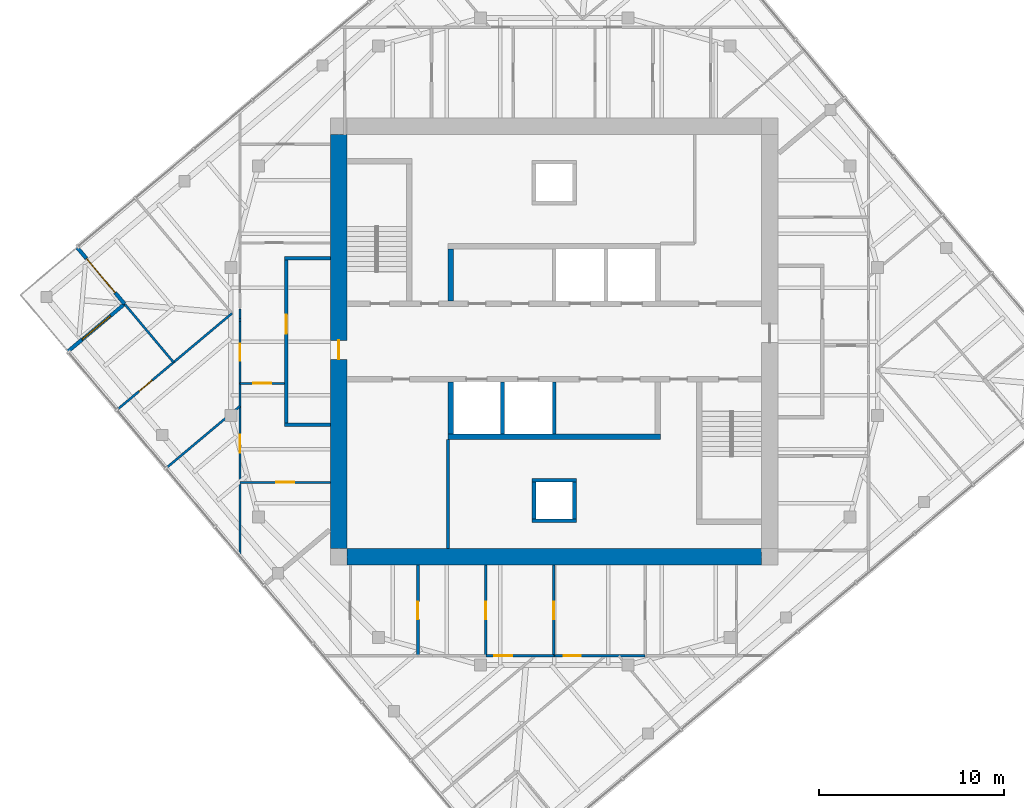
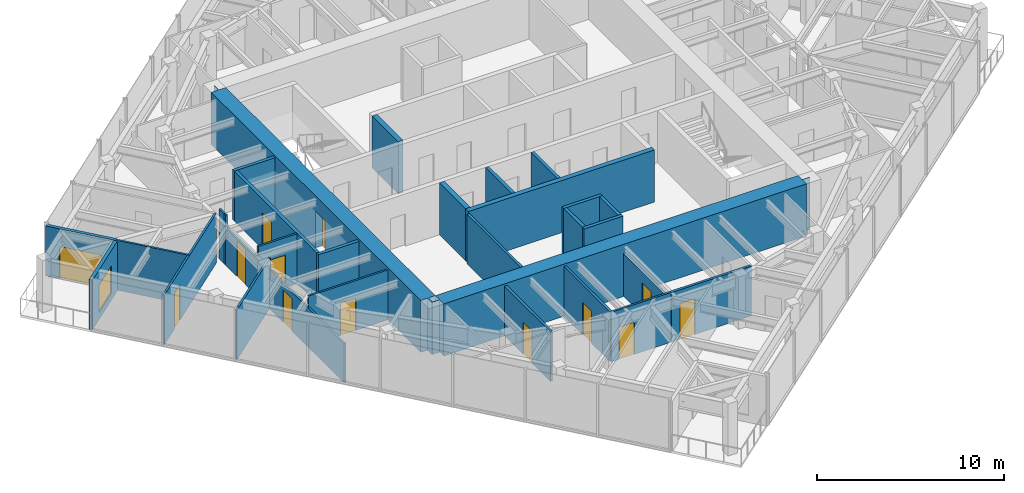
# One storey, part 7 of 11: 30 walls, 13 doors, 1 window, 14 openings.
"""IFC4 building model written with IfcOpenShell, lengths in metres."""

from ifc_helpers import new_model, si_unit, direction, frame, frame_2d, origin, place, context, subcontext, project, spatial, polyline, rectangle, outline, extrude, material, layer, layer_set, type_object, element, fill, save


model = new_model("IFC4")

# Units and contexts
model_context = context("Model", 3, precision=1e-05, world=origin(), true_north=direction((0.0, 1.0)))
body_context = subcontext(model_context, "Body", "Model", "MODEL_VIEW")
ifc_project = project(units=[si_unit("LENGTHUNIT", "METRE"), si_unit("AREAUNIT", "SQUARE_METRE"), si_unit("VOLUMEUNIT", "CUBIC_METRE"), si_unit("PLANEANGLEUNIT", "RADIAN"), si_unit("MASSUNIT", "GRAM", prefix="KILO")], contexts=[model_context])

# Site, building, storey
site_placement = place(None, origin())
site = spatial("IfcSite", under=ifc_project, at=site_placement, CompositionType="ELEMENT")
building_placement = place(site_placement, origin())
building = spatial("IfcBuilding", under=site, at=building_placement, Name="Torsade Residences", CompositionType="ELEMENT")
storey_placement = place(building_placement, frame((0.0, 0.0, 272.60009765625)))
storey = spatial("IfcBuildingStorey", under=building, at=storey_placement, Name="L75", CompositionType="ELEMENT", Elevation=272.60009765625)

# Walls
ifc_material_1 = material(Name="Concrete 80 MPa", Category="concrete")
ifc_layer_1 = layer(ifc_material_1, 0.300048828125)
ifc_layer_set_1 = layer_set([ifc_layer_1], Name="Concrete 80 MPa")
wall_type_1 = type_object("IfcWallType", Name="CORE INTERNAL WALL 300", PredefinedType="SHEAR", material=ifc_layer_set_1)
wall_1_placement = place(storey_placement, frame((45.75, 24.85009765625, 0.0), z_axis=(0.0, 0.0, 1.0), x_axis=(-1.0, 0.0, 0.0)))
element("IfcWall", 1, at=wall_1_placement, inside=storey, type_object=wall_type_1, Name="Core wall BS L75", PredefinedType="SHEAR", context=body_context, shape_type="SweptSolid", body=[
    extrude(rectangle(XDim=11.5, YDim=0.300048828125, at=frame_2d((5.75, 0.0))), origin(), (0.0, 0.0, 1.0), 3.39990234375),
])
for number, where, z_axis, x_axis, name in (
    (2, (34.39990234375, 32.199951171875, 0.0), (0.0, 0.0, 1.0), (0.0, 1.0, 0.0), "Core wall DN0 L75"),
    (3, (34.39990234375, 27.800048828125, 0.0), (0.0, 0.0, 1.0), (0.0, -1.0, 0.0), "Core wall DS4 L75"),
):
    element("IfcWall", number, at=place(storey_placement, frame(where, z_axis=z_axis, x_axis=x_axis)), inside=storey, type_object=wall_type_1, Name=name, PredefinedType="SHEAR", context=body_context, shape_type="SweptSolid", body=[
        extrude(rectangle(XDim=2.800048828125, YDim=0.300048828125, at=frame_2d((1.39990234375, 0.0))), origin(), (0.0, 0.0, 1.0), 3.39990234375),
    ])
ifc_material_2 = material(Name="Concrete 80 MPa", Category="concrete")
ifc_layer_2 = layer(ifc_material_2, 0.89990234375)
ifc_layer_set_2 = layer_set([ifc_layer_2], Name="Concrete 80 MPa")
wall_type_2 = type_object("IfcWallType", Name="CORE WALL 900", PredefinedType="SHEAR", material=ifc_layer_set_2)
wall_2_placement = place(storey_placement, frame((51.199951171875, 18.35009765625, 0.0), z_axis=(0.0, 0.0, 1.0), x_axis=(-1.0, 0.0, 0.0)))
element("IfcWall", 4, at=wall_2_placement, inside=storey, type_object=wall_type_2, Name="Core wall S L75", PredefinedType="SHEAR", context=body_context, shape_type="SweptSolid", body=[
    extrude(outline(polyline([(0.0, -0.449951171875), (22.39990234375, -0.449951171875), (22.39990234375, -0.02490234375), (22.849853515625, -0.02490234375), (22.849853515625, 0.02490234375), (22.39990234375, 0.02490234375), (22.39990234375, 0.449951171875), (0.0, 0.449951171875), (0.0, 0.02490234375), (-0.449951171875, 0.02490234375), (-0.449951171875, -0.02490234375), (0.0, -0.02490234375), (0.0, -0.449951171875)])), origin(), (0.0, 0.0, 1.0), 3.39990234375),
])

# Wall, opening, door
wall_3_placement = place(storey_placement, frame((28.35009765625, 41.199951171875, 0.0), z_axis=(0.0, 0.0, 1.0), x_axis=(0.0, -1.0, 0.0)))
wall_3 = element("IfcWall", 5, at=wall_3_placement, inside=storey, type_object=wall_type_2, Name="Core wall W L75", PredefinedType="SHEAR", context=body_context, shape_type="SweptSolid", body=[
    extrude(outline(polyline([(0.0, -0.449951171875), (22.39990234375, -0.449951171875), (22.39990234375, -0.02490234375), (22.849853515625, -0.02490234375), (22.849853515625, 0.02490234375), (22.39990234375, 0.02490234375), (22.39990234375, 0.449951171875), (0.0, 0.449951171875), (0.0, 0.02490234375), (-0.449951171875, 0.02490234375), (-0.449951171875, -0.02490234375), (0.0, -0.02490234375), (0.0, -0.449951171875)])), origin(), (0.0, 0.0, 1.0), 3.39990234375),
])
opening_1_placement = place(wall_3_placement, frame((11.139892578125, 0.0, 0.0)))
opening_1 = element("IfcOpeningElement", 6, at=opening_1_placement, cuts=wall_3, Name="Opening D04", PredefinedType="OPENING", context=body_context, shape_type="SweptSolid", body=[
    extrude(rectangle(XDim=1.02001953125, YDim=2.39990234375, at=frame_2d((0.510009765625, 1.199951171875))), frame((0.0, 0.4599609375, 0.0), z_axis=(0.0, -1.0, 0.0), x_axis=(1.0, 0.0, 0.0)), (0.0, 0.0, 1.0), 0.919921875),
])
ifc_material_3 = material(Name="Steel-framed fire door", Category="steel")
door_type_1 = type_object("IfcDoorType", Name="LOBBY SMOKE DOOR 1020x2400", OperationType="NOTDEFINED", PredefinedType="DOOR", material=ifc_material_3)
door_1_placement = place(opening_1_placement, origin())
door_1 = element("IfcDoor", 7, at=door_1_placement, inside=storey, type_object=door_type_1, Name="Lift lobby door W L75", OperationType="SINGLE_SWING_RIGHT", OverallHeight=2.39990234375, OverallWidth=1.02001953125, PredefinedType="DOOR", context=body_context, shape_type="SweptSolid", body=[
    extrude(rectangle(XDim=1.02001953125, YDim=2.39990234375, at=frame_2d((0.510009765625, 1.199951171875))), frame((0.0, 0.02490234375, 0.0), z_axis=(0.0, -1.0, 0.0), x_axis=(1.0, 0.0, 0.0)), (0.0, 0.0, 1.0), 0.050048828125),
])
fill(opening_1, door_1)

ifc_material_4 = material(Name="Plasterboard on steel stud", Category="steel")
ifc_layer_3 = layer(ifc_material_4, 0.199951171875)
ifc_layer_set_3 = layer_set([ifc_layer_3], Name="Plasterboard on steel stud")
wall_type_3 = type_object("IfcWallType", Name="CORRIDOR WALL 200", PredefinedType="PARTITIONING", material=ifc_layer_set_3)
wall_4_placement = place(storey_placement, frame((25.5, 25.5, 0.0), z_axis=(0.0, 0.0, 1.0), x_axis=(0.0, 1.0, 0.0)))
wall_4 = element("IfcWall", 8, at=wall_4_placement, inside=storey, type_object=wall_type_3, Name="Corridor wall L75", PredefinedType="PARTITIONING", context=body_context, shape_type="SweptSolid", body=[
    extrude(rectangle(XDim=9.0, YDim=0.199951171875, at=frame_2d((4.5, 0.0))), origin(), (0.0, 0.0, 1.0), 3.25),
])
opening_2_placement = place(wall_4_placement, frame((4.932861328125, 0.0, 0.0)))
opening_2 = element("IfcOpeningElement", 9, at=opening_2_placement, cuts=wall_4, Name="Opening D01", PredefinedType="OPENING", context=body_context, shape_type="SweptSolid", body=[
    extrude(rectangle(XDim=1.02001953125, YDim=2.340087890625, at=frame_2d((0.510009765625, 1.169921875))), frame((0.0, 0.10986328125, 0.0), z_axis=(0.0, -1.0, 0.0), x_axis=(1.0, 0.0, 0.0)), (0.0, 0.0, 1.0), 0.219970703125),
])
ifc_material_5 = material(Name="Solid-core timber fire door", Category="wood")
door_type_2 = type_object("IfcDoorType", Name="APARTMENT ENTRY DOOR 1020x2340", OperationType="NOTDEFINED", PredefinedType="DOOR", material=ifc_material_5)
door_2_placement = place(opening_2_placement, origin())
door_2 = element("IfcDoor", 10, at=door_2_placement, inside=storey, type_object=door_type_2, Name="Door Residential corridor to Kitchen and dining", OperationType="SINGLE_SWING_LEFT", OverallHeight=2.340087890625, OverallWidth=1.02001953125, PredefinedType="DOOR", context=body_context, shape_type="SweptSolid", body=[
    extrude(rectangle(XDim=1.02001953125, YDim=2.340087890625, at=frame_2d((0.510009765625, 1.169921875))), frame((0.0, 0.02490234375, 0.0), z_axis=(0.0, -1.0, 0.0), x_axis=(1.0, 0.0, 0.0)), (0.0, 0.0, 1.0), 0.050048828125),
])
fill(opening_2, door_2)

# Walls
for number, where, z_axis, x_axis, name in (
    (11, (27.89990234375, 34.5, 0.0), (0.0, 0.0, 1.0), (-1.0, 0.0, 0.0), "Corridor wall L75"),
    (12, (27.89990234375, 25.5, 0.0), (0.0, 0.0, 1.0), (-1.0, 0.0, 0.0), "Corridor wall L75"),
):
    element("IfcWall", number, at=place(storey_placement, frame(where, z_axis=z_axis, x_axis=x_axis)), inside=storey, type_object=wall_type_3, Name=name, PredefinedType="PARTITIONING", context=body_context, shape_type="SweptSolid", body=[
        extrude(rectangle(XDim=2.5, YDim=0.199951171875, at=frame_2d((1.25, 0.0))), origin(), (0.0, 0.0, 1.0), 3.25),
    ])
ifc_material_6 = material(Name="Reinforced blockwork", Category="masonry")
ifc_layer_4 = layer(ifc_material_6, 0.199951171875)
ifc_layer_set_4 = layer_set([ifc_layer_4], Name="Reinforced blockwork")
wall_type_4 = type_object("IfcWallType", Name="LIFT SHAFT DIVIDING WALL 200", PredefinedType="SOLIDWALL", material=ifc_layer_set_4)
for number, where, z_axis, x_axis, name in (
    (13, (40.0, 27.800048828125, 0.0), (0.0, 0.0, 1.0), (0.0, -1.0, 0.0), "Core wall DS2 L75"),
    (14, (37.199951171875, 27.800048828125, 0.0), (0.0, 0.0, 1.0), (0.0, -1.0, 0.0), "Core wall DS3 L75"),
):
    element("IfcWall", number, at=place(storey_placement, frame(where, z_axis=z_axis, x_axis=x_axis)), inside=storey, type_object=wall_type_4, Name=name, PredefinedType="SOLIDWALL", context=body_context, shape_type="SweptSolid", body=[
        extrude(rectangle(XDim=2.800048828125, YDim=0.199951171875, at=frame_2d((1.39990234375, 0.0))), origin(), (0.0, 0.0, 1.0), 3.39990234375),
    ])

# Wall, opening, door
ifc_material_7 = material(Name="Plasterboard on steel stud", Category="steel")
ifc_layer_5 = layer(ifc_material_7, 0.1201171875)
ifc_layer_set_5 = layer_set([ifc_layer_5], Name="Plasterboard on steel stud")
wall_type_5 = type_object("IfcWallType", Name="PARTITION 120", PredefinedType="PARTITIONING", material=ifc_layer_set_5)
wall_5_placement = place(storey_placement, frame((39.976318359375, 13.0, 0.0), z_axis=(0.0, 0.0, 1.0), x_axis=(-1.0, 0.0, 0.0)))
wall_5 = element("IfcWall", 15, at=wall_5_placement, inside=storey, type_object=wall_type_5, Name="Partition L75", PredefinedType="PARTITIONING", context=body_context, shape_type="SweptSolid", body=[
    extrude(rectangle(XDim=3.67578125, YDim=0.1201171875, at=frame_2d((1.837890625, 0.0))), origin(), (0.0, 0.0, 1.0), 3.25),
])
opening_3_placement = place(wall_5_placement, frame((2.2607421875, 0.0, 0.0)))
opening_3 = element("IfcOpeningElement", 16, at=opening_3_placement, cuts=wall_5, Name="Opening D05", PredefinedType="OPENING", context=body_context, shape_type="SweptSolid", body=[
    extrude(rectangle(XDim=0.9599609375, YDim=2.10009765625, at=frame_2d((0.47998046875, 1.050048828125))), frame((0.0, 0.070068359375, 0.0), z_axis=(0.0, -1.0, 0.0), x_axis=(1.0, 0.0, 0.0)), (0.0, 0.0, 1.0), 0.14013671875),
])
ifc_material_8 = material(Name="Hollow-core timber door in a steel cavity frame", Category="steel")
door_type_3 = type_object("IfcDoorType", Name="BATHROOM CAVITY SLIDING DOOR 960", OperationType="SLIDING_TO_LEFT", PredefinedType="DOOR", material=ifc_material_8)
door_3_placement = place(opening_3_placement, origin())
door_3 = element("IfcDoor", 17, at=door_3_placement, inside=storey, type_object=door_type_3, Name="Door WC to Bedroom 2", OperationType="SLIDING_TO_LEFT", OverallHeight=2.10009765625, OverallWidth=0.9599609375, PredefinedType="DOOR", context=body_context, shape_type="SweptSolid", body=[
    extrude(rectangle(XDim=0.9599609375, YDim=2.10009765625, at=frame_2d((0.47998046875, 1.050048828125))), frame((0.0, 0.02490234375, 0.0), z_axis=(0.0, -1.0, 0.0), x_axis=(1.0, 0.0, 0.0)), (0.0, 0.0, 1.0), 0.050048828125),
])
fill(opening_3, door_3)

wall_6_placement = place(storey_placement, frame((25.39990234375, 27.735595703125, 0.0), z_axis=(0.0, 0.0, 1.0), x_axis=(-1.0, 0.0, 0.0)))
wall_6 = element("IfcWall", 18, at=wall_6_placement, inside=storey, type_object=wall_type_5, Name="Partition L75", PredefinedType="PARTITIONING", context=body_context, shape_type="SweptSolid", body=[
    extrude(rectangle(XDim=2.39990234375, YDim=0.1201171875, at=frame_2d((1.199951171875, 0.0))), origin(), (0.0, 0.0, 1.0), 3.25),
])
opening_4_placement = place(wall_6_placement, frame((0.719970703125, 0.0, 0.0)))
opening_4 = element("IfcOpeningElement", 19, at=opening_4_placement, cuts=wall_6, Name="Opening D05", PredefinedType="OPENING", context=body_context, shape_type="SweptSolid", body=[
    extrude(rectangle(XDim=0.9599609375, YDim=2.10009765625, at=frame_2d((0.47998046875, 1.050048828125))), frame((0.0, 0.070068359375, 0.0), z_axis=(0.0, -1.0, 0.0), x_axis=(1.0, 0.0, 0.0)), (0.0, 0.0, 1.0), 0.14013671875),
])
door_4_placement = place(opening_4_placement, origin())
door_4 = element("IfcDoor", 20, at=door_4_placement, inside=storey, type_object=door_type_3, Name="Door Kitchen and dining to Bathroom", OperationType="SLIDING_TO_LEFT", OverallHeight=2.10009765625, OverallWidth=0.9599609375, PredefinedType="DOOR", context=body_context, shape_type="SweptSolid", body=[
    extrude(rectangle(XDim=0.9599609375, YDim=2.10009765625, at=frame_2d((0.47998046875, 1.050048828125))), frame((0.0, 0.02490234375, 0.0), z_axis=(0.0, -1.0, 0.0), x_axis=(1.0, 0.0, 0.0)), (0.0, 0.0, 1.0), 0.050048828125),
])
fill(opening_4, door_4)

# Wall
wall_7_placement = place(storey_placement, frame((23.0, 31.257568359375, 0.0), z_axis=(0.0, 0.0, 1.0), x_axis=(0.0, 1.0, 0.0)))
element("IfcWall", 21, at=wall_7_placement, inside=storey, type_object=wall_type_5, Name="Partition L75", PredefinedType="PARTITIONING", context=body_context, shape_type="SweptSolid", body=[
    extrude(rectangle(XDim=0.503662109375, YDim=0.1201171875, at=frame_2d((0.251953125, 0.0))), origin(), (0.0, 0.0, 1.0), 3.25),
])

# Wall, openings, doors
wall_8_placement = place(storey_placement, frame((23.0, 18.4296875, 0.0), z_axis=(0.0, 0.0, 1.0), x_axis=(0.0, 1.0, 0.0)))
wall_8 = element("IfcWall", 22, at=wall_8_placement, inside=storey, type_object=wall_type_5, Name="Partition L75", PredefinedType="PARTITIONING", context=body_context, shape_type="SweptSolid", body=[
    extrude(rectangle(XDim=12.65576171875, YDim=0.1201171875, at=frame_2d((6.327880859375, 0.0))), origin(), (0.0, 0.0, 1.0), 2.5498046875),
])
opening_5_placement = place(wall_8_placement, frame((10.520751953125, 0.0, 0.0)))
opening_5 = element("IfcOpeningElement", 23, at=opening_5_placement, cuts=wall_8, Name="Opening D02", PredefinedType="OPENING", context=body_context, shape_type="SweptSolid", body=[
    extrude(rectangle(XDim=0.919921875, YDim=2.340087890625, at=frame_2d((0.4599609375, 1.169921875))), frame((0.0, 0.070068359375, 0.0), z_axis=(0.0, -1.0, 0.0), x_axis=(1.0, 0.0, 0.0)), (0.0, 0.0, 1.0), 0.14013671875),
])
opening_6_placement = place(wall_8_placement, frame((5.5654296875, 0.0, 0.0)))
opening_6 = element("IfcOpeningElement", 24, at=opening_6_placement, cuts=wall_8, Name="Opening D05", PredefinedType="OPENING", context=body_context, shape_type="SweptSolid", body=[
    extrude(rectangle(XDim=0.9599609375, YDim=2.10009765625, at=frame_2d((0.47998046875, 1.050048828125))), frame((0.0, 0.070068359375, 0.0), z_axis=(0.0, -1.0, 0.0), x_axis=(1.0, 0.0, 0.0)), (0.0, 0.0, 1.0), 0.14013671875),
])
door_5_placement = place(opening_6_placement, origin())
door_5 = element("IfcDoor", 25, at=door_5_placement, inside=storey, type_object=door_type_3, Name="Door Bathroom to Media room", OperationType="SLIDING_TO_LEFT", OverallHeight=2.10009765625, OverallWidth=0.9599609375, PredefinedType="DOOR", context=body_context, shape_type="SweptSolid", body=[
    extrude(rectangle(XDim=0.9599609375, YDim=2.10009765625, at=frame_2d((0.47998046875, 1.050048828125))), frame((0.0, 0.02490234375, 0.0), z_axis=(0.0, -1.0, 0.0), x_axis=(1.0, 0.0, 0.0)), (0.0, 0.0, 1.0), 0.050048828125),
])
fill(opening_6, door_5)
ifc_material_9 = material(Name="Hollow-core timber door", Category="wood")
door_type_4 = type_object("IfcDoorType", Name="INTERNAL DOOR 920x2340", OperationType="NOTDEFINED", PredefinedType="DOOR", material=ifc_material_9)
door_6_placement = place(opening_5_placement, origin())
door_6 = element("IfcDoor", 26, at=door_6_placement, inside=storey, type_object=door_type_4, Name="Door Kitchen and dining to Bedroom 5", OperationType="SINGLE_SWING_LEFT", OverallHeight=2.340087890625, OverallWidth=0.919921875, PredefinedType="DOOR", context=body_context, shape_type="SweptSolid", body=[
    extrude(rectangle(XDim=0.919921875, YDim=2.340087890625, at=frame_2d((0.4599609375, 1.169921875))), frame((0.0, 0.02490234375, 0.0), z_axis=(0.0, -1.0, 0.0), x_axis=(1.0, 0.0, 0.0)), (0.0, 0.0, 1.0), 0.050048828125),
])
fill(opening_5, door_6)

# Wall, opening, door
wall_9_placement = place(storey_placement, frame((27.89990234375, 22.3798828125, 0.0), z_axis=(0.0, 0.0, 1.0), x_axis=(-1.0, 0.0, 0.0)))
wall_9 = element("IfcWall", 27, at=wall_9_placement, inside=storey, type_object=wall_type_5, Name="Partition L75", PredefinedType="PARTITIONING", context=body_context, shape_type="SweptSolid", body=[
    extrude(rectangle(XDim=4.89990234375, YDim=0.1201171875, at=frame_2d((2.449951171875, 0.0))), origin(), (0.0, 0.0, 1.0), 3.25),
])
opening_7_placement = place(wall_9_placement, frame((1.969970703125, 0.0, 0.0)))
opening_7 = element("IfcOpeningElement", 28, at=opening_7_placement, cuts=wall_9, Name="Opening D05", PredefinedType="OPENING", context=body_context, shape_type="SweptSolid", body=[
    extrude(rectangle(XDim=0.9599609375, YDim=2.10009765625, at=frame_2d((0.47998046875, 1.050048828125))), frame((0.0, 0.070068359375, 0.0), z_axis=(0.0, -1.0, 0.0), x_axis=(1.0, 0.0, 0.0)), (0.0, 0.0, 1.0), 0.14013671875),
])
door_7_placement = place(opening_7_placement, origin())
door_7 = element("IfcDoor", 29, at=door_7_placement, inside=storey, type_object=door_type_3, Name="Door Bathroom to Dressing room", OperationType="SLIDING_TO_LEFT", OverallHeight=2.10009765625, OverallWidth=0.9599609375, PredefinedType="DOOR", context=body_context, shape_type="SweptSolid", body=[
    extrude(rectangle(XDim=0.9599609375, YDim=2.10009765625, at=frame_2d((0.47998046875, 1.050048828125))), frame((0.0, 0.02490234375, 0.0), z_axis=(0.0, -1.0, 0.0), x_axis=(1.0, 0.0, 0.0)), (0.0, 0.0, 1.0), 0.050048828125),
])
fill(opening_7, door_7)

wall_10_placement = place(storey_placement, frame((22.565673828125, 31.525390625, 0.0), z_axis=(0.0, 0.0, 1.0), x_axis=(-0.766033729027, -0.642800378028, 0.0)))
wall_10 = element("IfcWall", 30, at=wall_10_placement, inside=storey, type_object=wall_type_5, Name="Partition L75", PredefinedType="PARTITIONING", context=body_context, shape_type="SweptSolid", body=[
    extrude(rectangle(XDim=8.0849609375, YDim=0.1201171875, at=frame_2d((4.04248046875, 0.0))), origin(), (0.0, 0.0, 1.0), 3.25),
])
opening_8_placement = place(wall_10_placement, frame((5.639892578125, 0.0, 0.0)))
opening_8 = element("IfcOpeningElement", 31, at=opening_8_placement, cuts=wall_10, Name="Opening D02", PredefinedType="OPENING", context=body_context, shape_type="SweptSolid", body=[
    extrude(rectangle(XDim=0.919921875, YDim=2.340087890625, at=frame_2d((0.4599609375, 1.169921875))), frame((0.0, 0.070068359375, 0.0), z_axis=(0.0, -1.0, 0.0), x_axis=(1.0, 0.0, 0.0)), (0.0, 0.0, 1.0), 0.14013671875),
])
door_8_placement = place(opening_8_placement, origin())
door_8 = element("IfcDoor", 32, at=door_8_placement, inside=storey, type_object=door_type_4, Name="Door Bedroom 5 to Study 2", OperationType="SINGLE_SWING_RIGHT", OverallHeight=2.340087890625, OverallWidth=0.919921875, PredefinedType="DOOR", context=body_context, shape_type="SweptSolid", body=[
    extrude(rectangle(XDim=0.919921875, YDim=2.340087890625, at=frame_2d((0.4599609375, 1.169921875))), frame((0.0, 0.02490234375, 0.0), z_axis=(0.0, -1.0, 0.0), x_axis=(1.0, 0.0, 0.0)), (0.0, 0.0, 1.0), 0.050048828125),
])
fill(opening_8, door_8)

# Walls
wall_11_placement = place(storey_placement, frame((19.40576171875, 28.873779296875, 0.0), z_axis=(0.0, 0.0, 1.0), x_axis=(-0.642767300664, 0.766061483953, 0.0)))
element("IfcWall", 33, at=wall_11_placement, inside=storey, type_object=wall_type_5, Name="Partition L75", PredefinedType="PARTITIONING", context=body_context, shape_type="SweptSolid", body=[
    extrude(rectangle(XDim=4.0849609375, YDim=0.1201171875, at=frame_2d((2.04248046875, 0.0))), origin(), (0.0, 0.0, 1.0), 3.25),
])
wall_12_placement = place(storey_placement, frame((23.0, 26.5048828125, 0.0), z_axis=(0.0, 0.0, 1.0), x_axis=(-0.76605407051, -0.642776136034, 0.0)))
element("IfcWall", 34, at=wall_12_placement, inside=storey, type_object=wall_type_5, Name="Partition L75", PredefinedType="PARTITIONING", context=body_context, shape_type="SweptSolid", body=[
    extrude(rectangle(XDim=5.190673828125, YDim=0.1201171875, at=frame_2d((2.59521484375, 0.0))), origin(), (0.0, 0.0, 1.0), 3.25),
])
wall_13_placement = place(storey_placement, frame((23.0, 31.257568359375, 0.0), z_axis=(0.0, 0.0, 1.0), x_axis=(0.0, -1.0, 0.0)))
element("IfcWall", 35, at=wall_13_placement, inside=storey, type_object=wall_type_5, Name="Partition L75", PredefinedType="PARTITIONING", context=body_context, shape_type="SweptSolid", body=[
    extrude(rectangle(XDim=0.172119140625, YDim=0.1201171875, at=frame_2d((0.0859375, 0.0))), origin(), (0.0, 0.0, 1.0), 3.25),
])
ifc_material_10 = material(Name="Reinforced blockwork", Category="masonry")
ifc_layer_6 = layer(ifc_material_10, 0.199951171875)
ifc_layer_set_6 = layer_set([ifc_layer_6], Name="Reinforced blockwork")
wall_type_6 = type_object("IfcWallType", Name="RISER SHAFT WALL 200", PredefinedType="SOLIDWALL", material=ifc_layer_set_6)
for number, where, z_axis, x_axis, name in (
    (36, (38.89990234375, 22.39990234375, 0.0), (0.0, 0.0, 1.0), (0.0, -1.0, 0.0), "Core wall RS2a L75"),
    (37, (41.10009765625, 22.39990234375, 0.0), (0.0, 0.0, 1.0), (0.0, -1.0, 0.0), "Core wall RS2b L75"),
):
    element("IfcWall", number, at=place(storey_placement, frame(where, z_axis=z_axis, x_axis=x_axis)), inside=storey, type_object=wall_type_6, Name=name, PredefinedType="SOLIDWALL", context=body_context, shape_type="SweptSolid", body=[
        extrude(rectangle(XDim=2.0, YDim=0.199951171875, at=frame_2d((1.0, 0.0))), origin(), (0.0, 0.0, 1.0), 3.39990234375),
    ])
for number, where, z_axis, x_axis, name in (
    (38, (38.800048828125, 22.5, 0.0), (0.0, 0.0, 1.0), (1.0, 0.0, 0.0), "Core wall RS2c L75"),
    (39, (38.800048828125, 20.300048828125, 0.0), (0.0, 0.0, 1.0), (1.0, 0.0, 0.0), "Core wall RS2d L75"),
):
    element("IfcWall", number, at=place(storey_placement, frame(where, z_axis=z_axis, x_axis=x_axis)), inside=storey, type_object=wall_type_6, Name=name, PredefinedType="SOLIDWALL", context=body_context, shape_type="SweptSolid", body=[
        extrude(rectangle(XDim=2.39990234375, YDim=0.199951171875, at=frame_2d((1.199951171875, 0.0))), origin(), (0.0, 0.0, 1.0), 3.39990234375),
    ])
ifc_material_11 = material(Name="Reinforced blockwork", Category="masonry")
ifc_layer_7 = layer(ifc_material_11, 0.14990234375)
ifc_layer_set_7 = layer_set([ifc_layer_7], Name="Reinforced blockwork")
wall_type_7 = type_object("IfcWallType", Name="SERVICE ROOM WALL 150", PredefinedType="SOLIDWALL", material=ifc_layer_set_7)
wall_14_placement = place(storey_placement, frame((34.25, 18.800048828125, 0.0), z_axis=(0.0, 0.0, 1.0), x_axis=(0.0, 1.0, 0.0)))
element("IfcWall", 40, at=wall_14_placement, inside=storey, type_object=wall_type_7, Name="Service room wall L75", PredefinedType="SOLIDWALL", context=body_context, shape_type="SweptSolid", body=[
    extrude(rectangle(XDim=5.89990234375, YDim=0.14990234375, at=frame_2d((2.949951171875, 0.0))), origin(), (0.0, 0.0, 1.0), 3.25),
])

# Wall, opening, door
wall_15_placement = place(storey_placement, frame((32.625, 17.89990234375, 0.0), z_axis=(0.0, 0.0, 1.0), x_axis=(0.0, -1.0, 0.0)))
wall_15 = element("IfcWall", 41, at=wall_15_placement, inside=storey, type_object=wall_type_7, Name="Service room wall L75", PredefinedType="SOLIDWALL", context=body_context, shape_type="SweptSolid", body=[
    extrude(rectangle(XDim=4.89990234375, YDim=0.14990234375, at=frame_2d((2.449951171875, 0.0))), origin(), (0.0, 0.0, 1.0), 3.25),
])
opening_9_placement = place(wall_15_placement, frame((1.969970703125, 0.0, 0.0)))
opening_9 = element("IfcOpeningElement", 42, at=opening_9_placement, cuts=wall_15, Name="Opening D05", PredefinedType="OPENING", context=body_context, shape_type="SweptSolid", body=[
    extrude(rectangle(XDim=0.9599609375, YDim=2.10009765625, at=frame_2d((0.47998046875, 1.050048828125))), frame((0.0, 0.0849609375, 0.0), z_axis=(0.0, -1.0, 0.0), x_axis=(1.0, 0.0, 0.0)), (0.0, 0.0, 1.0), 0.169921875),
])
door_9_placement = place(opening_9_placement, origin())
door_9 = element("IfcDoor", 43, at=door_9_placement, inside=storey, type_object=door_type_3, Name="Door Linen store to Ensuite", OperationType="SLIDING_TO_LEFT", OverallHeight=2.10009765625, OverallWidth=0.9599609375, PredefinedType="DOOR", context=body_context, shape_type="SweptSolid", body=[
    extrude(rectangle(XDim=0.9599609375, YDim=2.10009765625, at=frame_2d((0.47998046875, 1.050048828125))), frame((0.0, 0.02490234375, 0.0), z_axis=(0.0, -1.0, 0.0), x_axis=(1.0, 0.0, 0.0)), (0.0, 0.0, 1.0), 0.050048828125),
])
fill(opening_9, door_9)

wall_16_placement = place(storey_placement, frame((36.300537109375, 13.0, 0.0), z_axis=(0.0, 0.0, 1.0), x_axis=(0.0, 1.0, 0.0)))
wall_16 = element("IfcWall", 44, at=wall_16_placement, inside=storey, type_object=wall_type_7, Name="Service room wall L75", PredefinedType="SOLIDWALL", context=body_context, shape_type="SweptSolid", body=[
    extrude(rectangle(XDim=4.89990234375, YDim=0.14990234375, at=frame_2d((2.449951171875, 0.0))), origin(), (0.0, 0.0, 1.0), 3.25),
])
opening_10_placement = place(wall_16_placement, frame((1.969970703125, 0.0, 0.0)))
opening_10 = element("IfcOpeningElement", 45, at=opening_10_placement, cuts=wall_16, Name="Opening D05", PredefinedType="OPENING", context=body_context, shape_type="SweptSolid", body=[
    extrude(rectangle(XDim=0.9599609375, YDim=2.10009765625, at=frame_2d((0.47998046875, 1.050048828125))), frame((0.0, 0.0849609375, 0.0), z_axis=(0.0, -1.0, 0.0), x_axis=(1.0, 0.0, 0.0)), (0.0, 0.0, 1.0), 0.169921875),
])
door_10_placement = place(opening_10_placement, origin())
door_10 = element("IfcDoor", 46, at=door_10_placement, inside=storey, type_object=door_type_3, Name="Door WC to Linen store", OperationType="SLIDING_TO_LEFT", OverallHeight=2.10009765625, OverallWidth=0.9599609375, PredefinedType="DOOR", context=body_context, shape_type="SweptSolid", body=[
    extrude(rectangle(XDim=0.9599609375, YDim=2.10009765625, at=frame_2d((0.47998046875, 1.050048828125))), frame((0.0, 0.02490234375, 0.0), z_axis=(0.0, -1.0, 0.0), x_axis=(1.0, 0.0, 0.0)), (0.0, 0.0, 1.0), 0.050048828125),
])
fill(opening_10, door_10)

wall_17_placement = place(storey_placement, frame((39.976318359375, 17.89990234375, 0.0), z_axis=(0.0, 0.0, 1.0), x_axis=(0.0, -1.0, 0.0)))
wall_17 = element("IfcWall", 47, at=wall_17_placement, inside=storey, type_object=wall_type_7, Name="Service room wall L75", PredefinedType="SOLIDWALL", context=body_context, shape_type="SweptSolid", body=[
    extrude(rectangle(XDim=4.89990234375, YDim=0.14990234375, at=frame_2d((2.449951171875, 0.0))), origin(), (0.0, 0.0, 1.0), 2.7958984375),
])
opening_11_placement = place(wall_17_placement, frame((1.969970703125, 0.0, 0.0)))
opening_11 = element("IfcOpeningElement", 48, at=opening_11_placement, cuts=wall_17, Name="Opening D05", PredefinedType="OPENING", context=body_context, shape_type="SweptSolid", body=[
    extrude(rectangle(XDim=0.9599609375, YDim=2.10009765625, at=frame_2d((0.47998046875, 1.050048828125))), frame((0.0, 0.0849609375, 0.0), z_axis=(0.0, -1.0, 0.0), x_axis=(1.0, 0.0, 0.0)), (0.0, 0.0, 1.0), 0.169921875),
])
door_11_placement = place(opening_11_placement, origin())
door_11 = element("IfcDoor", 49, at=door_11_placement, inside=storey, type_object=door_type_3, Name="Door Linen store 2 to WC", OperationType="SLIDING_TO_LEFT", OverallHeight=2.10009765625, OverallWidth=0.9599609375, PredefinedType="DOOR", context=body_context, shape_type="SweptSolid", body=[
    extrude(rectangle(XDim=0.9599609375, YDim=2.10009765625, at=frame_2d((0.47998046875, 1.050048828125))), frame((0.0, 0.02490234375, 0.0), z_axis=(0.0, -1.0, 0.0), x_axis=(1.0, 0.0, 0.0)), (0.0, 0.0, 1.0), 0.050048828125),
])
fill(opening_11, door_11)

wall_18_placement = place(storey_placement, frame((44.91796875, 13.0, 0.0), z_axis=(0.0, 0.0, 1.0), x_axis=(-1.0, 0.0, 0.0)))
wall_18 = element("IfcWall", 50, at=wall_18_placement, inside=storey, type_object=wall_type_7, Name="Service room wall L75", PredefinedType="SOLIDWALL", context=body_context, shape_type="SweptSolid", body=[
    extrude(rectangle(XDim=4.941650390625, YDim=0.14990234375, at=frame_2d((2.470703125, 0.0))), origin(), (0.0, 0.0, 1.0), 3.25),
])
opening_12_placement = place(wall_18_placement, frame((3.493896484375, 0.0, 0.0)))
opening_12 = element("IfcOpeningElement", 51, at=opening_12_placement, cuts=wall_18, Name="Opening D02", PredefinedType="OPENING", context=body_context, shape_type="SweptSolid", body=[
    extrude(rectangle(XDim=0.919921875, YDim=2.340087890625, at=frame_2d((0.4599609375, 1.169921875))), frame((0.0, 0.0849609375, 0.0), z_axis=(0.0, -1.0, 0.0), x_axis=(1.0, 0.0, 0.0)), (0.0, 0.0, 1.0), 0.169921875),
])
door_12_placement = place(opening_12_placement, origin())
door_12 = element("IfcDoor", 52, at=door_12_placement, inside=storey, type_object=door_type_4, Name="Door Linen store 2 to Bedroom 5", OperationType="SINGLE_SWING_LEFT", OverallHeight=2.340087890625, OverallWidth=0.919921875, PredefinedType="DOOR", context=body_context, shape_type="SweptSolid", body=[
    extrude(rectangle(XDim=0.919921875, YDim=2.340087890625, at=frame_2d((0.4599609375, 1.169921875))), frame((0.0, 0.02490234375, 0.0), z_axis=(0.0, -1.0, 0.0), x_axis=(1.0, 0.0, 0.0)), (0.0, 0.0, 1.0), 0.050048828125),
])
fill(opening_12, door_12)

ifc_material_12 = material(Name="Stone-faced precast concrete 40 MPa panel", Category="masonry")
ifc_layer_8 = layer(ifc_material_12, 0.199951171875)
ifc_layer_set_8 = layer_set([ifc_layer_8], Name="Stone-faced precast concrete 40 MPa panel")
wall_type_8 = type_object("IfcWallType", Name="TERRACE WALL 200", PredefinedType="SOLIDWALL", material=ifc_layer_set_8)
wall_19_placement = place(storey_placement, frame((14.18310546875, 35.097900390625, 0.0), z_axis=(0.0, 0.0, 1.0), x_axis=(0.642768287094, -0.766060656284, 0.0)))
wall_19 = element("IfcWall", 53, at=wall_19_placement, inside=storey, type_object=wall_type_8, Name="Terrace wall L75 8", PredefinedType="SOLIDWALL", context=body_context, shape_type="SweptSolid", body=[
    extrude(rectangle(XDim=4.0, YDim=0.199951171875, at=frame_2d((2.0, 0.0))), origin(), (0.0, 0.0, 1.0), 3.25),
])
opening_13_placement = place(wall_19_placement, frame((0.800048828125, 0.0, 0.0)))
opening_13 = element("IfcOpeningElement", 54, at=opening_13_placement, cuts=wall_19, Name="Opening D10A", PredefinedType="OPENING", context=body_context, shape_type="SweptSolid", body=[
    extrude(rectangle(XDim=2.39990234375, YDim=2.10009765625, at=frame_2d((1.199951171875, 1.050048828125))), frame((0.0, 0.10986328125, 0.0), z_axis=(0.0, -1.0, 0.0), x_axis=(1.0, 0.0, 0.0)), (0.0, 0.0, 1.0), 0.219970703125),
])
ifc_material_13 = material(Name="Aluminium-framed glass door", Category="aluminium")
door_type_5 = type_object("IfcDoorType", Name="TERRACE SLIDING DOOR 2400x2100", OperationType="SLIDING_TO_LEFT", PredefinedType="DOOR", material=ifc_material_13)
door_13_placement = place(opening_13_placement, origin())
door_13 = element("IfcDoor", 55, at=door_13_placement, inside=storey, type_object=door_type_5, Name="Terrace door L75 8", OperationType="SLIDING_TO_LEFT", OverallHeight=2.10009765625, OverallWidth=2.39990234375, PredefinedType="DOOR", context=body_context, shape_type="SweptSolid", body=[
    extrude(rectangle(XDim=2.39990234375, YDim=2.10009765625, at=frame_2d((1.199951171875, 1.050048828125))), frame((0.0, 0.02490234375, 0.0), z_axis=(0.0, -1.0, 0.0), x_axis=(1.0, 0.0, 0.0)), (0.0, 0.0, 1.0), 0.050048828125),
])
fill(opening_13, door_13)

# Wall, opening, window
wall_20_placement = place(storey_placement, frame((16.754150390625, 32.03369140625, 0.0), z_axis=(0.0, 0.0, 1.0), x_axis=(-0.766035437498, -0.642798342015, 0.0)))
wall_20 = element("IfcWall", 56, at=wall_20_placement, inside=storey, type_object=wall_type_8, Name="Terrace wall L75 9", PredefinedType="SOLIDWALL", context=body_context, shape_type="SweptSolid", body=[
    extrude(rectangle(XDim=3.999755859375, YDim=0.199951171875, at=frame_2d((2.0, 0.0))), origin(), (0.0, 0.0, 1.0), 3.25),
])
opening_14_placement = place(wall_20_placement, frame((1.0, 0.0, 0.449951171875)))
opening_14 = element("IfcOpeningElement", 57, at=opening_14_placement, cuts=wall_20, Name="Opening W1B", PredefinedType="OPENING", context=body_context, shape_type="SweptSolid", body=[
    extrude(rectangle(XDim=2.0, YDim=1.800048828125, at=frame_2d((1.0, 0.89990234375))), frame((0.0, 0.10986328125, 0.0), z_axis=(0.0, -1.0, 0.0), x_axis=(1.0, 0.0, 0.0)), (0.0, 0.0, 1.0), 0.219970703125),
])
ifc_material_14 = material(Name="Aluminium-framed glass window", Category="aluminium")
window_type = type_object("IfcWindowType", Name="TERRACE WINDOW 2000x1800", PartitioningType="SINGLE_PANEL", PredefinedType="WINDOW", material=ifc_material_14)
window_placement = place(opening_14_placement, origin())
window = element("IfcWindow", 58, at=window_placement, inside=storey, type_object=window_type, Name="Terrace window L75 9", OverallHeight=1.800048828125, OverallWidth=2.0, PartitioningType="SINGLE_PANEL", PredefinedType="WINDOW", context=body_context, shape_type="SweptSolid", body=[
    extrude(rectangle(XDim=2.0, YDim=1.800048828125, at=frame_2d((1.0, 0.89990234375))), frame((0.0, 0.030029296875, 0.0), z_axis=(0.0, -1.0, 0.0), x_axis=(1.0, 0.0, 0.0)), (0.0, 0.0, 1.0), 0.06005859375),
])
fill(opening_14, window)

save(model, "model.ifc")
